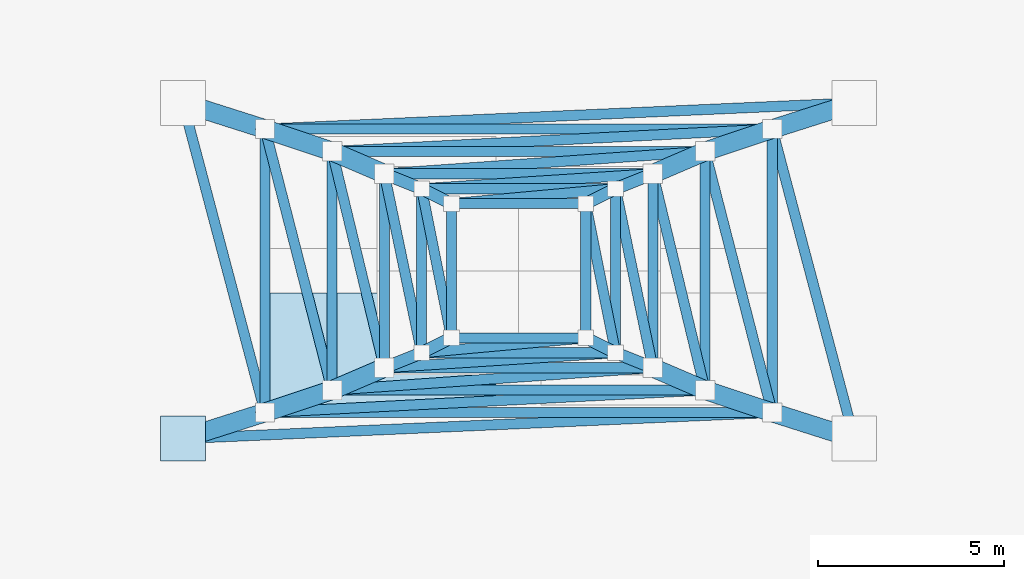
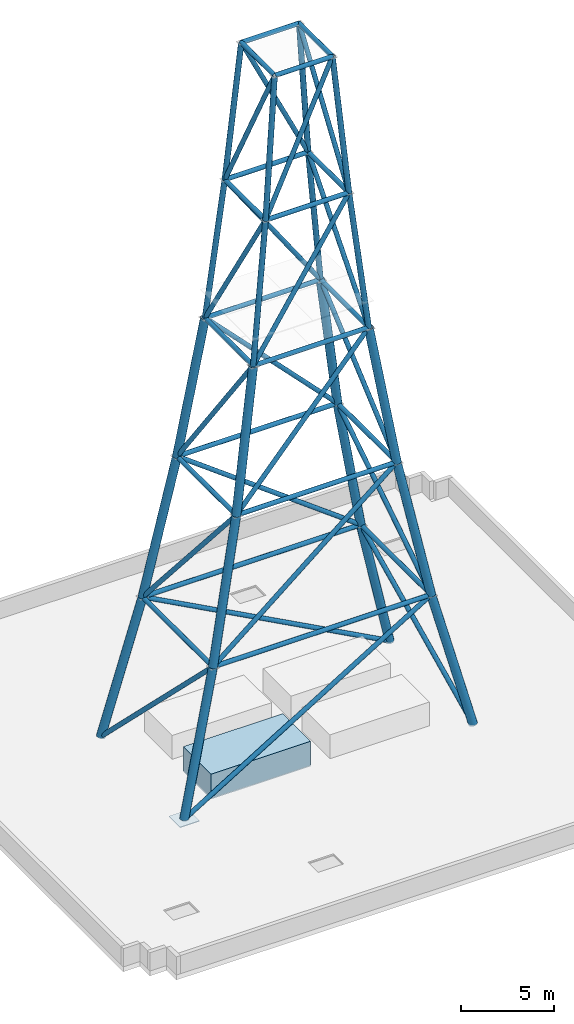
# One storey, part 1 of 3: 60 members, 2 plates.
"""IFC4 building model written with IfcOpenShell, lengths in metres."""

from ifc_helpers import new_model, si_unit, direction, frame, origin, origin_2d, place, context, subcontext, project, spatial, rectangle, hollow_circle, extrude, source, transform, mapped, material, layer, layer_set, material_profile, profile_set, type_object, type_shapes, element, save


model = new_model("IFC4")

# Units and contexts
model_context = context("Model", 3, precision=1e-05, world=origin(), true_north=direction((0.0, 1.0)))
body_context = subcontext(model_context, "Body", "Model", "MODEL_VIEW")
ifc_project = project(units=[si_unit("LENGTHUNIT", "METRE"), si_unit("AREAUNIT", "SQUARE_METRE"), si_unit("VOLUMEUNIT", "CUBIC_METRE"), si_unit("PLANEANGLEUNIT", "RADIAN"), si_unit("MASSUNIT", "GRAM", prefix="KILO")], contexts=[model_context])

# Site, building, storey
site_placement = place(None, origin())
site = spatial("IfcSite", under=ifc_project, at=site_placement, CompositionType="ELEMENT")
building_placement = place(site_placement, origin())
building = spatial("IfcBuilding", under=site, at=building_placement, Name="Nuvemarco Arch Tower", CompositionType="ELEMENT")
storey_placement = place(building_placement, frame((0.0, 0.0, 311.14990234375)))
storey = spatial("IfcBuildingStorey", under=building, at=storey_placement, Name="RF", CompositionType="ELEMENT", Elevation=311.14990234375)

# Members
ifc_material_1 = material(Name="Steel S355", Category="steel")
ifc_material_profile_1 = material_profile(ifc_material_1, hollow_circle(Radius=0.136474609375, WallThickness=0.01611328125, at=origin_2d()), Name="CHS273x16")
ifc_profile_set_1 = profile_set([ifc_material_profile_1], Name="Steel S355")
member_type_1 = type_object("IfcMemberType", Name="Crown Lattice Mast Brace", PredefinedType="USERDEFINED", material=ifc_profile_set_1)
member_1_placement = place(storey_placement, frame((-6.800048828125, -3.800048828125, 8.85009765625), z_axis=(1.0, 0.0, 0.0), x_axis=(0.0, 1.0, 0.0)))
element("IfcMember", 1, at=member_1_placement, inside=storey, type_object=member_type_1, Name="Crown Lattice Mast ring brace tier 1.1", ObjectType="MAST", PredefinedType="USERDEFINED", context=body_context, shape_type="SweptSolid", body=[
    extrude(hollow_circle(Radius=0.136474609375, WallThickness=0.01611328125, at=origin_2d()), origin(), (0.0, 0.0, 1.0), 13.60009765625),
])
member_2_placement = place(storey_placement, frame((-9.0, -4.5, 0.0), z_axis=(0.871806345072, 0.038621518169, 0.488325787797), x_axis=(-0.044257163223, 0.99902017172, 0.0)))
element("IfcMember", 2, at=member_2_placement, inside=storey, type_object=member_type_1, Name="Crown Lattice Mast diagonal brace tier 1.1", ObjectType="MAST", PredefinedType="USERDEFINED", context=body_context, shape_type="SweptSolid", body=[
    extrude(hollow_circle(Radius=0.136474609375, WallThickness=0.01611328125, at=origin_2d()), origin(), (0.0, 0.0, 1.0), 18.123291015625),
])
member_3_placement = place(storey_placement, frame((6.800048828125, -3.800048828125, 8.85009765625), z_axis=(0.0, 1.0, 0.0), x_axis=(-1.0, 0.0, 0.0)))
element("IfcMember", 3, at=member_3_placement, inside=storey, type_object=member_type_1, Name="Crown Lattice Mast ring brace tier 1.2", ObjectType="MAST", PredefinedType="USERDEFINED", context=body_context, shape_type="SweptSolid", body=[
    extrude(hollow_circle(Radius=0.136474609375, WallThickness=0.01611328125, at=origin_2d()), origin(), (0.0, 0.0, 1.0), 7.60009765625),
])
member_4_placement = place(storey_placement, frame((9.0, -4.5, 0.0), z_axis=(-0.178407431152, 0.673101480066, 0.717708287567), x_axis=(-0.966622223825, -0.256205925784, 0.0)))
element("IfcMember", 4, at=member_4_placement, inside=storey, type_object=member_type_1, Name="Crown Lattice Mast diagonal brace tier 1.2", ObjectType="MAST", PredefinedType="USERDEFINED", context=body_context, shape_type="SweptSolid", body=[
    extrude(hollow_circle(Radius=0.136474609375, WallThickness=0.01611328125, at=origin_2d()), origin(), (0.0, 0.0, 1.0), 12.3310546875),
])
member_5_placement = place(storey_placement, frame((6.800048828125, 3.800048828125, 8.85009765625), z_axis=(-1.0, 0.0, 0.0), x_axis=(0.0, -1.0, 0.0)))
element("IfcMember", 5, at=member_5_placement, inside=storey, type_object=member_type_1, Name="Crown Lattice Mast ring brace tier 1.3", ObjectType="MAST", PredefinedType="USERDEFINED", context=body_context, shape_type="SweptSolid", body=[
    extrude(hollow_circle(Radius=0.136474609375, WallThickness=0.01611328125, at=origin_2d()), origin(), (0.0, 0.0, 1.0), 13.60009765625),
])
member_6_placement = place(storey_placement, frame((9.0, 4.5, 0.0), z_axis=(-0.871806345072, -0.038621518169, 0.488325787797), x_axis=(0.044257163223, -0.99902017172, 0.0)))
element("IfcMember", 6, at=member_6_placement, inside=storey, type_object=member_type_1, Name="Crown Lattice Mast diagonal brace tier 1.3", ObjectType="MAST", PredefinedType="USERDEFINED", context=body_context, shape_type="SweptSolid", body=[
    extrude(hollow_circle(Radius=0.136474609375, WallThickness=0.01611328125, at=origin_2d()), origin(), (0.0, 0.0, 1.0), 18.123291015625),
])
member_7_placement = place(storey_placement, frame((-6.800048828125, 3.800048828125, 8.85009765625), z_axis=(0.0, -1.0, 0.0), x_axis=(1.0, 0.0, 0.0)))
element("IfcMember", 7, at=member_7_placement, inside=storey, type_object=member_type_1, Name="Crown Lattice Mast ring brace tier 1.4", ObjectType="MAST", PredefinedType="USERDEFINED", context=body_context, shape_type="SweptSolid", body=[
    extrude(hollow_circle(Radius=0.136474609375, WallThickness=0.01611328125, at=origin_2d()), origin(), (0.0, 0.0, 1.0), 7.60009765625),
])
member_8_placement = place(storey_placement, frame((-9.0, 4.5, 0.0), z_axis=(0.178407431152, -0.673101480066, 0.717708287567), x_axis=(0.966622223825, 0.256205925784, 0.0)))
element("IfcMember", 8, at=member_8_placement, inside=storey, type_object=member_type_1, Name="Crown Lattice Mast diagonal brace tier 1.4", ObjectType="MAST", PredefinedType="USERDEFINED", context=body_context, shape_type="SweptSolid", body=[
    extrude(hollow_circle(Radius=0.136474609375, WallThickness=0.01611328125, at=origin_2d()), origin(), (0.0, 0.0, 1.0), 12.3310546875),
])
member_9_placement = place(storey_placement, frame((-5.0, -3.199951171875, 17.85009765625), z_axis=(1.0, 0.0, 0.0), x_axis=(0.0, 1.0, 0.0)))
element("IfcMember", 9, at=member_9_placement, inside=storey, type_object=member_type_1, Name="Crown Lattice Mast ring brace tier 2.1", ObjectType="MAST", PredefinedType="USERDEFINED", context=body_context, shape_type="SweptSolid", body=[
    extrude(hollow_circle(Radius=0.136474609375, WallThickness=0.01611328125, at=origin_2d()), origin(), (0.0, 0.0, 1.0), 10.0),
])
member_10_placement = place(storey_placement, frame((-6.800048828125, -3.800048828125, 8.85009765625), z_axis=(0.794474204248, 0.040403401279, 0.605952394128), x_axis=(-0.050789887011, 0.998709360814, 0.0)))
element("IfcMember", 10, at=member_10_placement, inside=storey, type_object=member_type_1, Name="Crown Lattice Mast diagonal brace tier 2.1", ObjectType="MAST", PredefinedType="USERDEFINED", context=body_context, shape_type="SweptSolid", body=[
    extrude(hollow_circle(Radius=0.136474609375, WallThickness=0.01611328125, at=origin_2d()), origin(), (0.0, 0.0, 1.0), 14.8525390625),
])
member_11_placement = place(storey_placement, frame((5.0, -3.199951171875, 17.85009765625), z_axis=(0.0, 1.0, 0.0), x_axis=(-1.0, 0.0, 0.0)))
element("IfcMember", 11, at=member_11_placement, inside=storey, type_object=member_type_1, Name="Crown Lattice Mast ring brace tier 2.2", ObjectType="MAST", PredefinedType="USERDEFINED", context=body_context, shape_type="SweptSolid", body=[
    extrude(hollow_circle(Radius=0.136474609375, WallThickness=0.01611328125, at=origin_2d()), origin(), (0.0, 0.0, 1.0), 6.39990234375),
])
member_12_placement = place(storey_placement, frame((6.800048828125, -3.800048828125, 8.85009765625), z_axis=(-0.155943288195, 0.606429670299, 0.779695290385), x_axis=(-0.968491303148, -0.249047376469, 0.0)))
element("IfcMember", 12, at=member_12_placement, inside=storey, type_object=member_type_1, Name="Crown Lattice Mast diagonal brace tier 2.2", ObjectType="MAST", PredefinedType="USERDEFINED", context=body_context, shape_type="SweptSolid", body=[
    extrude(hollow_circle(Radius=0.136474609375, WallThickness=0.01611328125, at=origin_2d()), origin(), (0.0, 0.0, 1.0), 11.54296875),
])
member_13_placement = place(storey_placement, frame((5.0, 3.199951171875, 17.85009765625), z_axis=(-1.0, 0.0, 0.0), x_axis=(0.0, -1.0, 0.0)))
element("IfcMember", 13, at=member_13_placement, inside=storey, type_object=member_type_1, Name="Crown Lattice Mast ring brace tier 2.3", ObjectType="MAST", PredefinedType="USERDEFINED", context=body_context, shape_type="SweptSolid", body=[
    extrude(hollow_circle(Radius=0.136474609375, WallThickness=0.01611328125, at=origin_2d()), origin(), (0.0, 0.0, 1.0), 10.0),
])
member_14_placement = place(storey_placement, frame((6.800048828125, 3.800048828125, 8.85009765625), z_axis=(-0.794474204248, -0.040403401279, 0.605952394128), x_axis=(0.050789887011, -0.998709360814, 0.0)))
element("IfcMember", 14, at=member_14_placement, inside=storey, type_object=member_type_1, Name="Crown Lattice Mast diagonal brace tier 2.3", ObjectType="MAST", PredefinedType="USERDEFINED", context=body_context, shape_type="SweptSolid", body=[
    extrude(hollow_circle(Radius=0.136474609375, WallThickness=0.01611328125, at=origin_2d()), origin(), (0.0, 0.0, 1.0), 14.8525390625),
])
member_15_placement = place(storey_placement, frame((-5.0, 3.199951171875, 17.85009765625), z_axis=(0.0, -1.0, 0.0), x_axis=(1.0, 0.0, 0.0)))
element("IfcMember", 15, at=member_15_placement, inside=storey, type_object=member_type_1, Name="Crown Lattice Mast ring brace tier 2.4", ObjectType="MAST", PredefinedType="USERDEFINED", context=body_context, shape_type="SweptSolid", body=[
    extrude(hollow_circle(Radius=0.136474609375, WallThickness=0.01611328125, at=origin_2d()), origin(), (0.0, 0.0, 1.0), 6.39990234375),
])
member_16_placement = place(storey_placement, frame((-6.800048828125, 3.800048828125, 8.85009765625), z_axis=(0.155943288195, -0.606429670299, 0.779695290385), x_axis=(0.968491303148, 0.249047376469, 0.0)))
element("IfcMember", 16, at=member_16_placement, inside=storey, type_object=member_type_1, Name="Crown Lattice Mast diagonal brace tier 2.4", ObjectType="MAST", PredefinedType="USERDEFINED", context=body_context, shape_type="SweptSolid", body=[
    extrude(hollow_circle(Radius=0.136474609375, WallThickness=0.01611328125, at=origin_2d()), origin(), (0.0, 0.0, 1.0), 11.54296875),
])
member_17_placement = place(storey_placement, frame((-3.60009765625, -2.60009765625, 26.85009765625), z_axis=(1.0, 0.0, 0.0), x_axis=(0.0, 1.0, 0.0)))
element("IfcMember", 17, at=member_17_placement, inside=storey, type_object=member_type_1, Name="Crown Lattice Mast ring brace tier 3.1", ObjectType="MAST", PredefinedType="USERDEFINED", context=body_context, shape_type="SweptSolid", body=[
    extrude(hollow_circle(Radius=0.136474609375, WallThickness=0.01611328125, at=origin_2d()), origin(), (0.0, 0.0, 1.0), 7.2001953125),
])
member_18_placement = place(storey_placement, frame((-5.0, -3.199951171875, 17.85009765625), z_axis=(0.690061168548, 0.048131502047, 0.722148836579), x_axis=(-0.069580567074, 0.997576335267, 0.0)))
element("IfcMember", 18, at=member_18_placement, inside=storey, type_object=member_type_1, Name="Crown Lattice Mast diagonal brace tier 3.1", ObjectType="MAST", PredefinedType="USERDEFINED", context=body_context, shape_type="SweptSolid", body=[
    extrude(hollow_circle(Radius=0.136474609375, WallThickness=0.01611328125, at=origin_2d()), origin(), (0.0, 0.0, 1.0), 12.462890625),
])
member_19_placement = place(storey_placement, frame((3.60009765625, -2.60009765625, 26.85009765625), z_axis=(0.0, 1.0, 0.0), x_axis=(-1.0, 0.0, 0.0)))
element("IfcMember", 19, at=member_19_placement, inside=storey, type_object=member_type_1, Name="Crown Lattice Mast ring brace tier 3.2", ObjectType="MAST", PredefinedType="USERDEFINED", context=body_context, shape_type="SweptSolid", body=[
    extrude(hollow_circle(Radius=0.136474609375, WallThickness=0.01611328125, at=origin_2d()), origin(), (0.0, 0.0, 1.0), 5.2001953125),
])
member_20_placement = place(storey_placement, frame((5.0, -3.199951171875, 17.85009765625), z_axis=(-0.129642655978, 0.53713299234, 0.833475212763), x_axis=(-0.972086392158, -0.234623200431, 0.0)))
element("IfcMember", 20, at=member_20_placement, inside=storey, type_object=member_type_1, Name="Crown Lattice Mast diagonal brace tier 3.2", ObjectType="MAST", PredefinedType="USERDEFINED", context=body_context, shape_type="SweptSolid", body=[
    extrude(hollow_circle(Radius=0.136474609375, WallThickness=0.01611328125, at=origin_2d()), origin(), (0.0, 0.0, 1.0), 10.798095703125),
])
member_21_placement = place(storey_placement, frame((3.60009765625, 2.60009765625, 26.85009765625), z_axis=(-1.0, 0.0, 0.0), x_axis=(0.0, -1.0, 0.0)))
element("IfcMember", 21, at=member_21_placement, inside=storey, type_object=member_type_1, Name="Crown Lattice Mast ring brace tier 3.3", ObjectType="MAST", PredefinedType="USERDEFINED", context=body_context, shape_type="SweptSolid", body=[
    extrude(hollow_circle(Radius=0.136474609375, WallThickness=0.01611328125, at=origin_2d()), origin(), (0.0, 0.0, 1.0), 7.2001953125),
])
member_22_placement = place(storey_placement, frame((5.0, 3.199951171875, 17.85009765625), z_axis=(-0.690061168548, -0.048131502047, 0.722148836579), x_axis=(0.069580567074, -0.997576335267, 0.0)))
element("IfcMember", 22, at=member_22_placement, inside=storey, type_object=member_type_1, Name="Crown Lattice Mast diagonal brace tier 3.3", ObjectType="MAST", PredefinedType="USERDEFINED", context=body_context, shape_type="SweptSolid", body=[
    extrude(hollow_circle(Radius=0.136474609375, WallThickness=0.01611328125, at=origin_2d()), origin(), (0.0, 0.0, 1.0), 12.462890625),
])
member_23_placement = place(storey_placement, frame((-3.60009765625, 2.60009765625, 26.85009765625), z_axis=(0.0, -1.0, 0.0), x_axis=(1.0, 0.0, 0.0)))
element("IfcMember", 23, at=member_23_placement, inside=storey, type_object=member_type_1, Name="Crown Lattice Mast ring brace tier 3.4", ObjectType="MAST", PredefinedType="USERDEFINED", context=body_context, shape_type="SweptSolid", body=[
    extrude(hollow_circle(Radius=0.136474609375, WallThickness=0.01611328125, at=origin_2d()), origin(), (0.0, 0.0, 1.0), 5.2001953125),
])
member_24_placement = place(storey_placement, frame((-5.0, 3.199951171875, 17.85009765625), z_axis=(0.129642655978, -0.53713299234, 0.833475212763), x_axis=(0.972086392158, 0.234623200431, 0.0)))
element("IfcMember", 24, at=member_24_placement, inside=storey, type_object=member_type_1, Name="Crown Lattice Mast diagonal brace tier 3.4", ObjectType="MAST", PredefinedType="USERDEFINED", context=body_context, shape_type="SweptSolid", body=[
    extrude(hollow_circle(Radius=0.136474609375, WallThickness=0.01611328125, at=origin_2d()), origin(), (0.0, 0.0, 1.0), 10.798095703125),
])
member_25_placement = place(storey_placement, frame((-2.60009765625, -2.199951171875, 35.85009765625), z_axis=(1.0, 0.0, 0.0), x_axis=(0.0, 1.0, 0.0)))
element("IfcMember", 25, at=member_25_placement, inside=storey, type_object=member_type_1, Name="Crown Lattice Mast ring brace tier 4.1", ObjectType="MAST", PredefinedType="USERDEFINED", context=body_context, shape_type="SweptSolid", body=[
    extrude(hollow_circle(Radius=0.136474609375, WallThickness=0.01611328125, at=origin_2d()), origin(), (0.0, 0.0, 1.0), 5.2001953125),
])
member_26_placement = place(storey_placement, frame((-3.60009765625, -2.60009765625, 26.85009765625), z_axis=(0.566937482126, 0.036588853883, 0.822947839861), x_axis=(-0.064403737276, 0.997923924267, 0.0)))
element("IfcMember", 26, at=member_26_placement, inside=storey, type_object=member_type_1, Name="Crown Lattice Mast diagonal brace tier 4.1", ObjectType="MAST", PredefinedType="USERDEFINED", context=body_context, shape_type="SweptSolid", body=[
    extrude(hollow_circle(Radius=0.136474609375, WallThickness=0.01611328125, at=origin_2d()), origin(), (0.0, 0.0, 1.0), 10.936279296875),
])
member_27_placement = place(storey_placement, frame((2.60009765625, -2.199951171875, 35.85009765625), z_axis=(0.0, 1.0, 0.0), x_axis=(-1.0, 0.0, 0.0)))
element("IfcMember", 27, at=member_27_placement, inside=storey, type_object=member_type_1, Name="Crown Lattice Mast ring brace tier 4.2", ObjectType="MAST", PredefinedType="USERDEFINED", context=body_context, shape_type="SweptSolid", body=[
    extrude(hollow_circle(Radius=0.136474609375, WallThickness=0.01611328125, at=origin_2d()), origin(), (0.0, 0.0, 1.0), 4.39990234375),
])
member_28_placement = place(storey_placement, frame((3.60009765625, -2.60009765625, 26.85009765625), z_axis=(-0.097571206321, 0.468346554558, 0.878140856885), x_axis=(-0.978980833987, -0.203952265704, 0.0)))
element("IfcMember", 28, at=member_28_placement, inside=storey, type_object=member_type_1, Name="Crown Lattice Mast diagonal brace tier 4.2", ObjectType="MAST", PredefinedType="USERDEFINED", context=body_context, shape_type="SweptSolid", body=[
    extrude(hollow_circle(Radius=0.136474609375, WallThickness=0.01611328125, at=origin_2d()), origin(), (0.0, 0.0, 1.0), 10.2490234375),
])
member_29_placement = place(storey_placement, frame((2.60009765625, 2.199951171875, 35.85009765625), z_axis=(-1.0, 0.0, 0.0), x_axis=(0.0, -1.0, 0.0)))
element("IfcMember", 29, at=member_29_placement, inside=storey, type_object=member_type_1, Name="Crown Lattice Mast ring brace tier 4.3", ObjectType="MAST", PredefinedType="USERDEFINED", context=body_context, shape_type="SweptSolid", body=[
    extrude(hollow_circle(Radius=0.136474609375, WallThickness=0.01611328125, at=origin_2d()), origin(), (0.0, 0.0, 1.0), 5.2001953125),
])
member_30_placement = place(storey_placement, frame((3.60009765625, 2.60009765625, 26.85009765625), z_axis=(-0.566937482126, -0.036588853883, 0.822947839861), x_axis=(0.064403737276, -0.997923924267, 0.0)))
element("IfcMember", 30, at=member_30_placement, inside=storey, type_object=member_type_1, Name="Crown Lattice Mast diagonal brace tier 4.3", ObjectType="MAST", PredefinedType="USERDEFINED", context=body_context, shape_type="SweptSolid", body=[
    extrude(hollow_circle(Radius=0.136474609375, WallThickness=0.01611328125, at=origin_2d()), origin(), (0.0, 0.0, 1.0), 10.936279296875),
])
member_31_placement = place(storey_placement, frame((-2.60009765625, 2.199951171875, 35.85009765625), z_axis=(0.0, -1.0, 0.0), x_axis=(1.0, 0.0, 0.0)))
element("IfcMember", 31, at=member_31_placement, inside=storey, type_object=member_type_1, Name="Crown Lattice Mast ring brace tier 4.4", ObjectType="MAST", PredefinedType="USERDEFINED", context=body_context, shape_type="SweptSolid", body=[
    extrude(hollow_circle(Radius=0.136474609375, WallThickness=0.01611328125, at=origin_2d()), origin(), (0.0, 0.0, 1.0), 4.39990234375),
])
member_32_placement = place(storey_placement, frame((-3.60009765625, 2.60009765625, 26.85009765625), z_axis=(0.097571206321, -0.468346554558, 0.878140856885), x_axis=(0.978980833987, 0.203952265704, 0.0)))
element("IfcMember", 32, at=member_32_placement, inside=storey, type_object=member_type_1, Name="Crown Lattice Mast diagonal brace tier 4.4", ObjectType="MAST", PredefinedType="USERDEFINED", context=body_context, shape_type="SweptSolid", body=[
    extrude(hollow_circle(Radius=0.136474609375, WallThickness=0.01611328125, at=origin_2d()), origin(), (0.0, 0.0, 1.0), 10.2490234375),
])
member_33_placement = place(storey_placement, frame((-1.800048828125, -1.800048828125, 44.85009765625), z_axis=(1.0, 0.0, 0.0), x_axis=(0.0, 1.0, 0.0)))
element("IfcMember", 33, at=member_33_placement, inside=storey, type_object=member_type_1, Name="Crown Lattice Mast ring brace tier 5.1", ObjectType="MAST", PredefinedType="USERDEFINED", context=body_context, shape_type="SweptSolid", body=[
    extrude(hollow_circle(Radius=0.136474609375, WallThickness=0.01611328125, at=origin_2d()), origin(), (0.0, 0.0, 1.0), 3.60009765625),
])
member_34_placement = place(storey_placement, frame((-2.60009765625, -2.199951171875, 35.85009765625), z_axis=(0.438872409305, 0.039886423261, 0.897663679554), x_axis=(-0.090510835108, 0.995895470784, 0.0)))
element("IfcMember", 34, at=member_34_placement, inside=storey, type_object=member_type_1, Name="Crown Lattice Mast diagonal brace tier 5.1", ObjectType="MAST", PredefinedType="USERDEFINED", context=body_context, shape_type="SweptSolid", body=[
    extrude(hollow_circle(Radius=0.136474609375, WallThickness=0.01611328125, at=origin_2d()), origin(), (0.0, 0.0, 1.0), 10.026123046875),
])
member_35_placement = place(storey_placement, frame((1.800048828125, -1.800048828125, 44.85009765625), z_axis=(0.0, 1.0, 0.0), x_axis=(-1.0, 0.0, 0.0)))
element("IfcMember", 35, at=member_35_placement, inside=storey, type_object=member_type_1, Name="Crown Lattice Mast ring brace tier 5.2", ObjectType="MAST", PredefinedType="USERDEFINED", context=body_context, shape_type="SweptSolid", body=[
    extrude(hollow_circle(Radius=0.136474609375, WallThickness=0.01611328125, at=origin_2d()), origin(), (0.0, 0.0, 1.0), 3.60009765625),
])
member_36_placement = place(storey_placement, frame((2.60009765625, -2.199951171875, 35.85009765625), z_axis=(-0.080965953417, 0.404805059743, 0.910811384422), x_axis=(-0.98057837371, -0.196127644693, 0.0)))
element("IfcMember", 36, at=member_36_placement, inside=storey, type_object=member_type_1, Name="Crown Lattice Mast diagonal brace tier 5.2", ObjectType="MAST", PredefinedType="USERDEFINED", context=body_context, shape_type="SweptSolid", body=[
    extrude(hollow_circle(Radius=0.136474609375, WallThickness=0.01611328125, at=origin_2d()), origin(), (0.0, 0.0, 1.0), 9.88134765625),
])
member_37_placement = place(storey_placement, frame((1.800048828125, 1.800048828125, 44.85009765625), z_axis=(-1.0, 0.0, 0.0), x_axis=(0.0, -1.0, 0.0)))
element("IfcMember", 37, at=member_37_placement, inside=storey, type_object=member_type_1, Name="Crown Lattice Mast ring brace tier 5.3", ObjectType="MAST", PredefinedType="USERDEFINED", context=body_context, shape_type="SweptSolid", body=[
    extrude(hollow_circle(Radius=0.136474609375, WallThickness=0.01611328125, at=origin_2d()), origin(), (0.0, 0.0, 1.0), 3.60009765625),
])
member_38_placement = place(storey_placement, frame((2.60009765625, 2.199951171875, 35.85009765625), z_axis=(-0.438872409305, -0.039886423261, 0.897663679554), x_axis=(0.090510835108, -0.995895470784, 0.0)))
element("IfcMember", 38, at=member_38_placement, inside=storey, type_object=member_type_1, Name="Crown Lattice Mast diagonal brace tier 5.3", ObjectType="MAST", PredefinedType="USERDEFINED", context=body_context, shape_type="SweptSolid", body=[
    extrude(hollow_circle(Radius=0.136474609375, WallThickness=0.01611328125, at=origin_2d()), origin(), (0.0, 0.0, 1.0), 10.026123046875),
])
member_39_placement = place(storey_placement, frame((-1.800048828125, 1.800048828125, 44.85009765625), z_axis=(0.0, -1.0, 0.0), x_axis=(1.0, 0.0, 0.0)))
element("IfcMember", 39, at=member_39_placement, inside=storey, type_object=member_type_1, Name="Crown Lattice Mast ring brace tier 5.4", ObjectType="MAST", PredefinedType="USERDEFINED", context=body_context, shape_type="SweptSolid", body=[
    extrude(hollow_circle(Radius=0.136474609375, WallThickness=0.01611328125, at=origin_2d()), origin(), (0.0, 0.0, 1.0), 3.60009765625),
])
member_40_placement = place(storey_placement, frame((-2.60009765625, 2.199951171875, 35.85009765625), z_axis=(0.080965953417, -0.404805059743, 0.910811384422), x_axis=(0.98057837371, 0.196127644693, 0.0)))
element("IfcMember", 40, at=member_40_placement, inside=storey, type_object=member_type_1, Name="Crown Lattice Mast diagonal brace tier 5.4", ObjectType="MAST", PredefinedType="USERDEFINED", context=body_context, shape_type="SweptSolid", body=[
    extrude(hollow_circle(Radius=0.136474609375, WallThickness=0.01611328125, at=origin_2d()), origin(), (0.0, 0.0, 1.0), 9.88134765625),
])
ifc_material_profile_2 = material_profile(ifc_material_1, hollow_circle(Radius=0.25390625, WallThickness=0.031982421875, at=origin_2d()), Name="CHS508x32")
ifc_profile_set_2 = profile_set([ifc_material_profile_2], Name="Steel S355")
member_type_2 = type_object("IfcMemberType", Name="Crown Lattice Mast Leg", PredefinedType="USERDEFINED", material=ifc_profile_set_2)
for number, where, z_axis, x_axis, name in (
    (41, (-9.0, -4.5, 0.0), (0.240530319207, 0.076528734343, 0.967620027884), (-0.303190562272, 0.952929946507, 0.0), "Crown Lattice Mast leg MST-L1 tier 1.1"),
    (42, (9.0, -4.5, 0.0), (-0.240530319207, 0.076528734343, 0.967620027884), (-0.303190562272, -0.952929946507, 0.0), "Crown Lattice Mast leg MST-L1 tier 1.2"),
    (43, (9.0, 4.5, 0.0), (-0.240530319207, -0.076528734343, 0.967620027884), (0.303190562272, -0.952929946507, 0.0), "Crown Lattice Mast leg MST-L1 tier 1.3"),
    (44, (-9.0, 4.5, 0.0), (0.240530319207, -0.076528734343, 0.967620027884), (0.303190562272, 0.952929946507, 0.0), "Crown Lattice Mast leg MST-L1 tier 1.4"),
):
    element("IfcMember", number, at=place(storey_placement, frame(where, z_axis=z_axis, x_axis=x_axis)), inside=storey, type_object=member_type_2, Name=name, ObjectType="MAST", PredefinedType="USERDEFINED", context=body_context, shape_type="SweptSolid", body=[
        extrude(hollow_circle(Radius=0.25390625, WallThickness=0.031982421875, at=origin_2d()), origin(), (0.0, 0.0, 1.0), 9.146240234375),
    ])
for number, where, z_axis, x_axis, name in (
    (45, (-6.800048828125, -3.800048828125, 8.85009765625), (0.195703391703, 0.065243311651, 0.978490415263), (-0.316266366207, 0.948670430448, 0.0), "Crown Lattice Mast leg MST-L1 tier 2.1"),
    (46, (6.800048828125, -3.800048828125, 8.85009765625), (-0.195703391703, 0.065243311651, 0.978490415263), (-0.316266366207, -0.948670430448, 0.0), "Crown Lattice Mast leg MST-L1 tier 2.2"),
    (47, (6.800048828125, 3.800048828125, 8.85009765625), (-0.195703391703, -0.065243311651, 0.978490415263), (0.316266366207, -0.948670430448, 0.0), "Crown Lattice Mast leg MST-L1 tier 2.3"),
    (48, (-6.800048828125, 3.800048828125, 8.85009765625), (0.195703391703, -0.065243311651, 0.978490415263), (0.316266366207, 0.948670430448, 0.0), "Crown Lattice Mast leg MST-L1 tier 2.4"),
):
    element("IfcMember", number, at=place(storey_placement, frame(where, z_axis=z_axis, x_axis=x_axis)), inside=storey, type_object=member_type_2, Name=name, ObjectType="MAST", PredefinedType="USERDEFINED", context=body_context, shape_type="SweptSolid", body=[
        extrude(hollow_circle(Radius=0.25390625, WallThickness=0.031982421875, at=origin_2d()), origin(), (0.0, 0.0, 1.0), 9.19775390625),
    ])
for number, where, z_axis, x_axis, name in (
    (49, (-5.0, -3.199951171875, 17.85009765625), (0.1533643014, 0.065716094967, 0.985982142799), (-0.393861257526, 0.919169902586, 0.0), "Crown Lattice Mast leg MST-L1 tier 3.1"),
    (50, (5.0, -3.199951171875, 17.85009765625), (-0.1533643014, 0.065716094967, 0.985982142799), (-0.393861257526, -0.919169902586, 0.0), "Crown Lattice Mast leg MST-L1 tier 3.2"),
    (51, (5.0, 3.199951171875, 17.85009765625), (-0.1533643014, -0.065716094967, 0.985982142799), (0.393861257526, -0.919169902586, 0.0), "Crown Lattice Mast leg MST-L1 tier 3.3"),
    (52, (-5.0, 3.199951171875, 17.85009765625), (0.1533643014, -0.065716094967, 0.985982142799), (0.393861257526, 0.919169902586, 0.0), "Crown Lattice Mast leg MST-L1 tier 3.4"),
):
    element("IfcMember", number, at=place(storey_placement, frame(where, z_axis=z_axis, x_axis=x_axis)), inside=storey, type_object=member_type_2, Name=name, ObjectType="MAST", PredefinedType="USERDEFINED", context=body_context, shape_type="SweptSolid", body=[
        extrude(hollow_circle(Radius=0.25390625, WallThickness=0.031982421875, at=origin_2d()), origin(), (0.0, 0.0, 1.0), 9.1279296875),
    ])
ifc_material_profile_3 = material_profile(ifc_material_1, hollow_circle(Radius=0.161865234375, WallThickness=0.02001953125, at=origin_2d()), Name="CHS323.9x20")
ifc_profile_set_3 = profile_set([ifc_material_profile_3], Name="Steel S355")
member_type_3 = type_object("IfcMemberType", Name="Crown Lattice Mast Upper Leg", PredefinedType="USERDEFINED", material=ifc_profile_set_3)
for number, where, z_axis, x_axis, name in (
    (53, (-3.60009765625, -2.60009765625, 26.85009765625), (0.110323866717, 0.044145707409, 0.992914800449), (-0.371507915167, 0.928429786774, 0.0), "Crown Lattice Mast leg MST-L1 tier 4.1"),
    (54, (3.60009765625, -2.60009765625, 26.85009765625), (-0.110323866717, 0.044145707409, 0.992914800449), (-0.371507915167, -0.928429786774, 0.0), "Crown Lattice Mast leg MST-L1 tier 4.2"),
    (55, (3.60009765625, 2.60009765625, 26.85009765625), (-0.110323866717, -0.044145707409, 0.992914800449), (0.371507915167, -0.928429786774, 0.0), "Crown Lattice Mast leg MST-L1 tier 4.3"),
    (56, (-3.60009765625, 2.60009765625, 26.85009765625), (0.110323866717, -0.044145707409, 0.992914800449), (0.371507915167, 0.928429786774, 0.0), "Crown Lattice Mast leg MST-L1 tier 4.4"),
):
    element("IfcMember", number, at=place(storey_placement, frame(where, z_axis=z_axis, x_axis=x_axis)), inside=storey, type_object=member_type_3, Name=name, ObjectType="MAST", PredefinedType="USERDEFINED", context=body_context, shape_type="SweptSolid", body=[
        extrude(hollow_circle(Radius=0.161865234375, WallThickness=0.02001953125, at=origin_2d()), origin(), (0.0, 0.0, 1.0), 9.064208984375),
    ])
for number, where, z_axis, x_axis, name in (
    (57, (-2.60009765625, -2.199951171875, 35.85009765625), (0.088458555163, 0.044215780701, 0.995098009623), (-0.447104409162, 0.894481775839, 0.0), "Crown Lattice Mast leg MST-L1 tier 5.1"),
    (58, (2.60009765625, -2.199951171875, 35.85009765625), (-0.088458555163, 0.044215780701, 0.995098009623), (-0.447104409162, -0.894481775839, 0.0), "Crown Lattice Mast leg MST-L1 tier 5.2"),
    (59, (2.60009765625, 2.199951171875, 35.85009765625), (-0.088458555163, -0.044215780701, 0.995098009623), (0.447104409162, -0.894481775839, 0.0), "Crown Lattice Mast leg MST-L1 tier 5.3"),
    (60, (-2.60009765625, 2.199951171875, 35.85009765625), (0.088458555163, -0.044215780701, 0.995098009623), (0.447104409162, 0.894481775839, 0.0), "Crown Lattice Mast leg MST-L1 tier 5.4"),
):
    element("IfcMember", number, at=place(storey_placement, frame(where, z_axis=z_axis, x_axis=x_axis)), inside=storey, type_object=member_type_3, Name=name, ObjectType="MAST", PredefinedType="USERDEFINED", context=body_context, shape_type="SweptSolid", body=[
        extrude(hollow_circle(Radius=0.161865234375, WallThickness=0.02001953125, at=origin_2d()), origin(), (0.0, 0.0, 1.0), 9.04443359375),
    ])

# Plates
ifc_material_2 = material(Name="Concrete C50/60", Category="concrete")
ifc_layer_1 = layer(ifc_material_2, 1.64990234375, Name="PL-PLANT-PLINTH")
ifc_layer_set_1 = layer_set([ifc_layer_1], Name="Concrete C50/60")
plate_type_1 = type_object("IfcPlateType", Name="PL-PLANT-PLINTH", PredefinedType="SHEET", material=ifc_layer_set_1)
shared_shape_1 = source(origin(), body_context, "Body", "SweptSolid", [
    extrude(rectangle(XDim=6.199951171875, YDim=3.0, at=origin_2d()), origin(), (0.0, 0.0, 1.0), 1.64990234375),
])
type_shapes(plate_type_1, [shared_shape_1])
plate_1_placement = place(storey_placement, frame((-3.699951171875, -2.10009765625, 0.000244140625), z_axis=(0.0, 0.0, 1.0), x_axis=(1.0, 0.0, 0.0)))
element("IfcPlate", 61, at=plate_1_placement, inside=storey, type_object=plate_type_1, Name="RF Roof Broadcast Mechanical Equipment Plinth SW", PredefinedType="SHEET", context=body_context, shape_type="MappedRepresentation", body=[
    mapped(shared_shape_1, transform((0.0, 0.0, 0.0), scale=1.0)),
])
ifc_material_3 = material(Name="Steel S460", Category="steel")
ifc_layer_2 = layer(ifc_material_3, 0.050048828125, Name="PL-MAST-BASE")
ifc_layer_set_2 = layer_set([ifc_layer_2], Name="Steel S460")
plate_type_2 = type_object("IfcPlateType", Name="PL-MAST-BASE", PredefinedType="USERDEFINED", material=ifc_layer_set_2)
shared_shape_2 = source(origin(), body_context, "Body", "SweptSolid", [
    extrude(rectangle(XDim=1.199951171875, YDim=1.199951171875, at=origin_2d()), origin(), (0.0, 0.0, 1.0), 0.050048828125),
])
type_shapes(plate_type_2, [shared_shape_2])
plate_2_placement = place(storey_placement, frame((-9.0, -4.5, 0.0), z_axis=(0.0, 0.0, 1.0), x_axis=(1.0, 0.0, 0.0)))
element("IfcPlate", 62, at=plate_2_placement, inside=storey, type_object=plate_type_2, Name="Crown Lattice Mast base plate MST-BP1 SW on core wall CW-2", ObjectType="BASE PLATE", PredefinedType="USERDEFINED", context=body_context, shape_type="MappedRepresentation", body=[
    mapped(shared_shape_2, transform((0.0, 0.0, 0.0), scale=1.0)),
])

save(model, "model.ifc")
